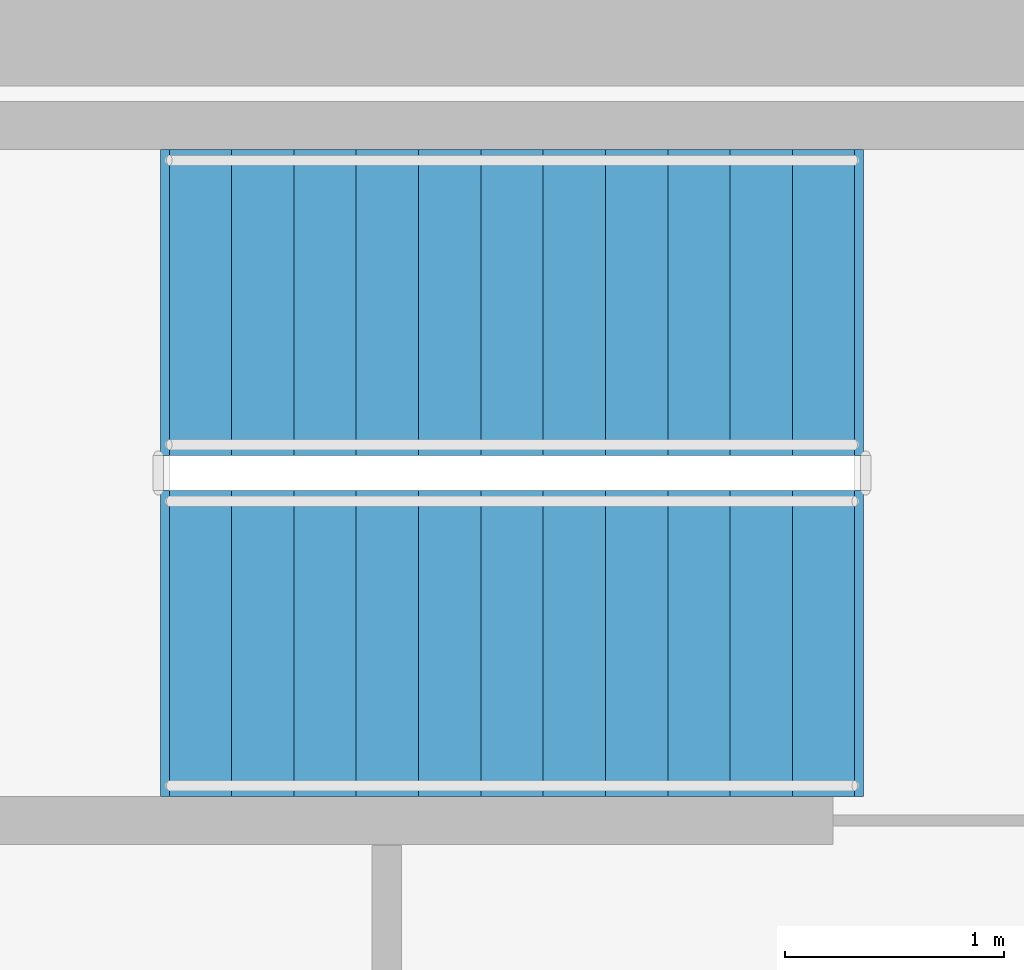
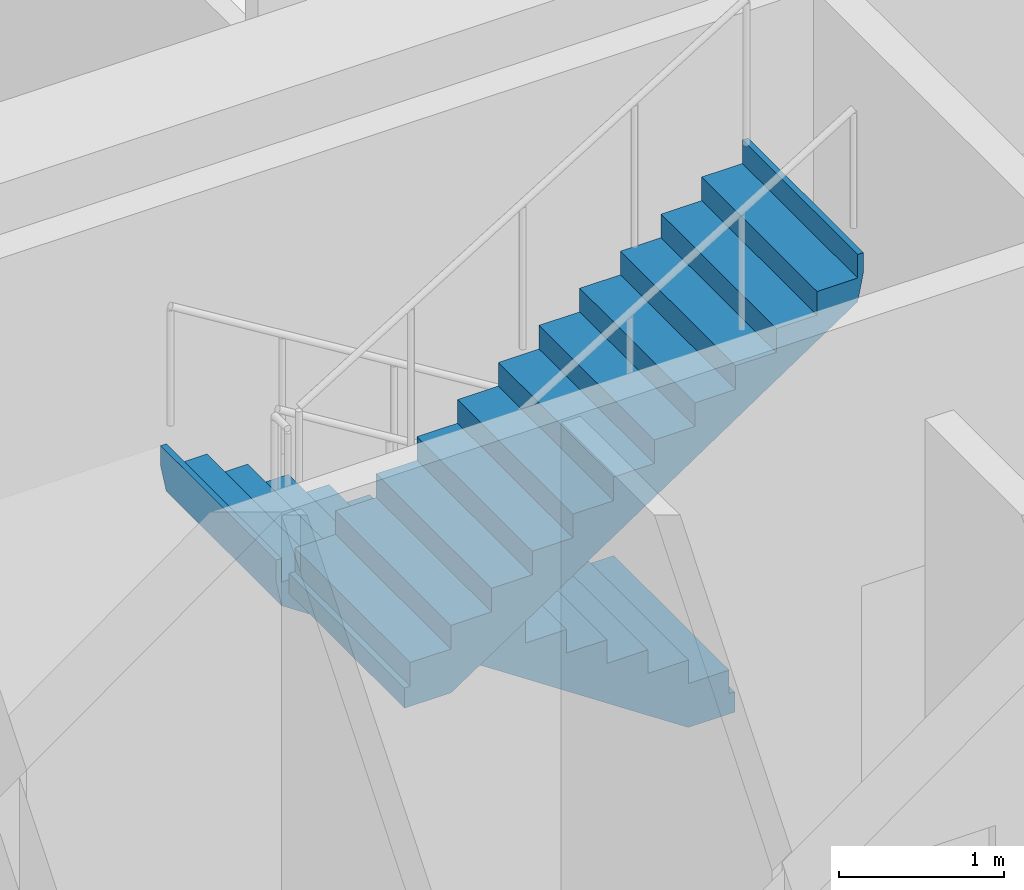
# One storey, part 13 of 14: 2 stair flights, 1 element without a shape of its own.
"""IFC4 building model written with IfcOpenShell, lengths in metres."""

from ifc_helpers import new_model, si_unit, direction, frame, origin, place, context, subcontext, project, spatial, polyline, outline, extrude, material, type_object, element, aggregate, save


model = new_model("IFC4")

# Units and contexts
model_context = context("Model", 3, precision=1e-05, world=origin(), true_north=direction((0.0, 1.0)))
body_context = subcontext(model_context, "Body", "Model", "MODEL_VIEW")
ifc_project = project(units=[si_unit("LENGTHUNIT", "METRE"), si_unit("AREAUNIT", "SQUARE_METRE"), si_unit("VOLUMEUNIT", "CUBIC_METRE"), si_unit("PLANEANGLEUNIT", "RADIAN"), si_unit("MASSUNIT", "GRAM", prefix="KILO")], contexts=[model_context])

# Site, building, storey
site_placement = place(None, origin())
site = spatial("IfcSite", under=ifc_project, at=site_placement, CompositionType="ELEMENT")
building_placement = place(site_placement, origin())
building = spatial("IfcBuilding", under=site, at=building_placement, Name="Durnholm Broadcast Tower", CompositionType="ELEMENT")
storey_placement = place(building_placement, frame((0.0, 0.0, 146.10009765625)))
storey = spatial("IfcBuildingStorey", under=building, at=storey_placement, Name="L40", CompositionType="ELEMENT", Elevation=146.10009765625)

# Stair, stair flights
ifc_material = material(Name="Concrete C50/60", Category="concrete")
stair_type = type_object("IfcStairType", Name="STAIR-DL-24R1750", PredefinedType="HALF_TURN_STAIR", material=ifc_material)
stair_placement = place(storey_placement, origin())
stair = element("IfcStair", 1, at=stair_placement, inside=storey, type_object=stair_type, Name="L40 ST-3", PredefinedType="HALF_TURN_STAIR")
stair_flight_type = type_object("IfcStairFlightType", Name="FLIGHT-DL-24R1750", PredefinedType="STRAIGHT", material=ifc_material)
stair_flight_1_placement = place(storey_placement, frame((0.699951171875, 6.860107421875, 0.0), z_axis=(0.0, 0.0, 1.0), x_axis=(-1.0, 0.0, 0.0)))
stair_flight_1 = element("IfcStairFlight", 2, at=stair_flight_1_placement, type_object=stair_flight_type, Name="ST-3 flight 1", NumberOfRisers=12, NumberOfTreads=11, PredefinedType="STRAIGHT", RiserHeight=0.175, TreadLength=0.285, context=body_context, shape_type="SweptSolid", body=[
    extrude(outline(polyline([(-0.0400390625, -0.14990234375), (-0.0400390625, 0.0), (0.0, 0.0), (0.0, 0.175048828125), (0.284912109375, 0.175048828125), (0.284912109375, 0.35009765625), (0.570068359375, 0.35009765625), (0.570068359375, 0.52490234375), (0.85498046875, 0.52490234375), (0.85498046875, 0.699951171875), (1.139892578125, 0.699951171875), (1.139892578125, 0.875), (1.425048828125, 0.875), (1.425048828125, 1.050048828125), (1.7099609375, 1.050048828125), (1.7099609375, 1.22509765625), (1.9951171875, 1.22509765625), (1.9951171875, 1.39990234375), (2.280029296875, 1.39990234375), (2.280029296875, 1.574951171875), (2.56494140625, 1.574951171875), (2.56494140625, 1.75), (2.85009765625, 1.75), (2.85009765625, 1.925048828125), (3.135009765625, 1.925048828125), (3.135009765625, 2.10009765625), (3.175048828125, 2.10009765625), (3.175048828125, 1.9501953125), (3.135009765625, 1.7490234375), (0.286376953125, -0.14990234375), (-0.0400390625, -0.14990234375)])), frame((0.0, 0.699951171875, 0.0), z_axis=(0.0, -1.0, 0.0), x_axis=(1.0, 0.0, 0.0)), (0.0, 0.0, 1.0), 1.39990234375),
])
stair_flight_2_placement = place(storey_placement, frame((-2.43505859375, 5.300048828125, 2.099853515625), z_axis=(0.0, 0.0, 1.0), x_axis=(1.0, 0.0, 0.0)))
stair_flight_2 = element("IfcStairFlight", 3, at=stair_flight_2_placement, type_object=stair_flight_type, Name="ST-3 flight 2", NumberOfRisers=12, NumberOfTreads=11, PredefinedType="STRAIGHT", RiserHeight=0.175, TreadLength=0.285, context=body_context, shape_type="SweptSolid", body=[
    extrude(outline(polyline([(-0.0400390625, -0.14990234375), (-0.0400390625, 0.0), (0.0, 0.0), (0.0, 0.175048828125), (0.284912109375, 0.175048828125), (0.284912109375, 0.35009765625), (0.570068359375, 0.35009765625), (0.570068359375, 0.52490234375), (0.85498046875, 0.52490234375), (0.85498046875, 0.699951171875), (1.139892578125, 0.699951171875), (1.139892578125, 0.875), (1.425048828125, 0.875), (1.425048828125, 1.050048828125), (1.7099609375, 1.050048828125), (1.7099609375, 1.22509765625), (1.9951171875, 1.22509765625), (1.9951171875, 1.39990234375), (2.280029296875, 1.39990234375), (2.280029296875, 1.574951171875), (2.56494140625, 1.574951171875), (2.56494140625, 1.75), (2.85009765625, 1.75), (2.85009765625, 1.925048828125), (3.135009765625, 1.925048828125), (3.135009765625, 2.10009765625), (3.175048828125, 2.10009765625), (3.175048828125, 1.9501953125), (3.135009765625, 1.7490234375), (0.286376953125, -0.14990234375), (-0.0400390625, -0.14990234375)])), frame((0.0, 0.699951171875, 0.0), z_axis=(0.0, -1.0, 0.0), x_axis=(1.0, 0.0, 0.0)), (0.0, 0.0, 1.0), 1.39990234375),
])
aggregate(stair, [stair_flight_1, stair_flight_2])

save(model, "model.ifc")
